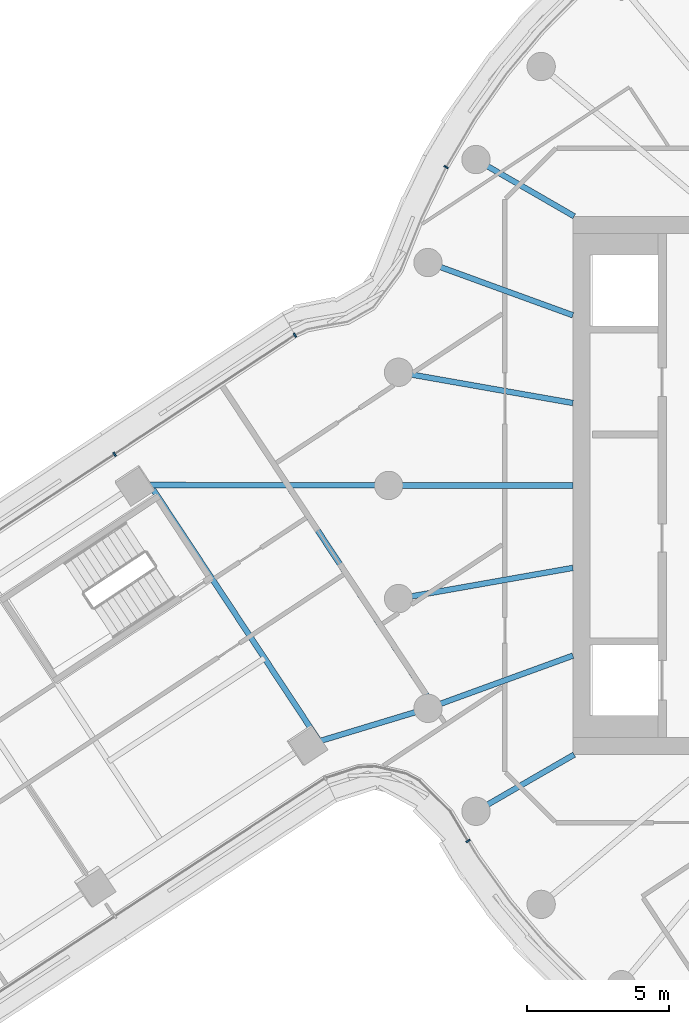
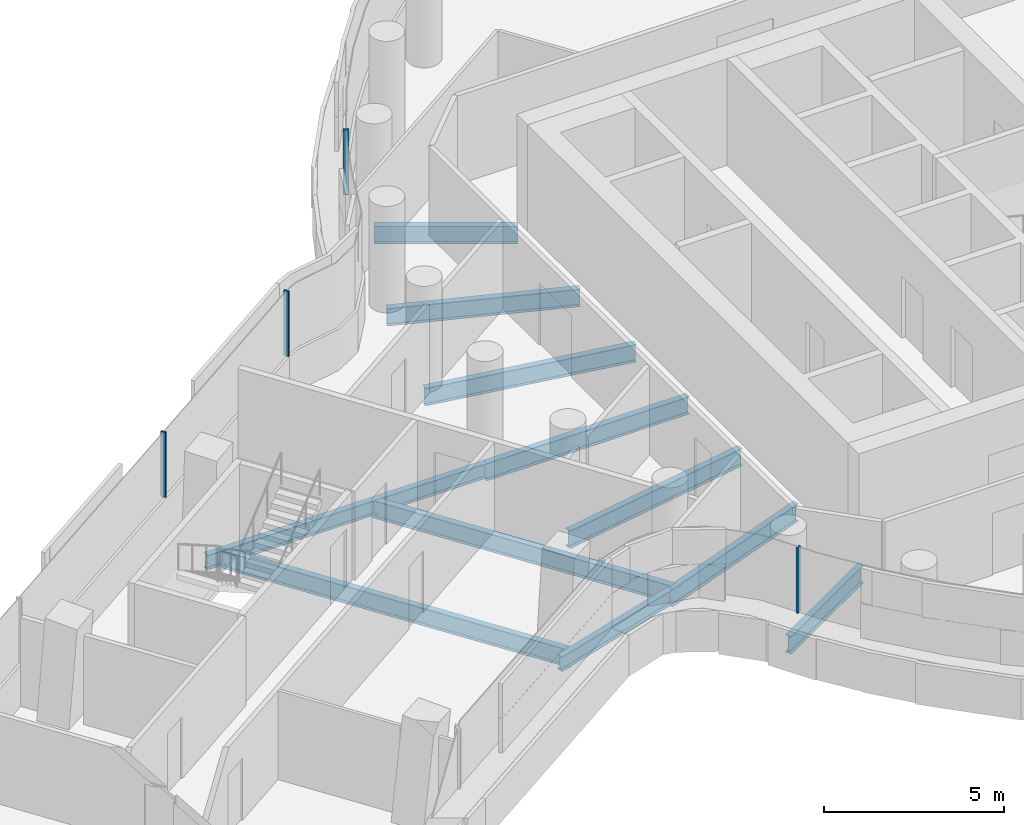
# One storey, part 9 of 35: 11 beams, 4 members, 3 elements without a shape of their own.
"""IFC4 building model written with IfcOpenShell, lengths in metres."""

import ifcopenshell
import ifcopenshell.guid

model = None  # the IFC model being written
_history = None  # IfcOwnerHistory: only IFC2X3 demands one
_inside = {}  # id of a spatial element -> (the spatial element, [elements in it])
_under = {}  # id of a project, library or spatial element -> (it, [spatial elements below it])
_declared = {}  # id of a project -> (the project, [libraries it declares])
_typed = {}  # id of a type object -> (the type object, [elements of that type])
_made_of = {}  # id of a material, layer set ... -> (it, [elements and type objects made of it])


def new_model(schema):
    """Start an empty IFC model of exactly this schema.

    Asked for "IFC4X3", IfcOpenShell would pick the latest addendum, in which some entities
    have other attributes; the version numbers below select the first issue.
    IFC2X3 requires an IfcOwnerHistory on every rooted entity: one is made here for all.
    """
    global model, _history
    if schema == "IFC4X3":
        model = ifcopenshell.file(schema_version=(4, 3, 0, 0))
    else:
        model = ifcopenshell.file(schema=schema)
    _inside.clear()
    _under.clear()
    _declared.clear()
    _typed.clear()
    _made_of.clear()
    _history = None
    if model.schema == "IFC2X3":
        org = make("IfcOrganization", Name="unknown")
        user = make(
            "IfcPersonAndOrganization",
            ThePerson=make("IfcPerson", FamilyName="unknown"),
            TheOrganization=org,
        )
        app = make(
            "IfcApplication",
            ApplicationDeveloper=org,
            Version="unknown",
            ApplicationFullName="unknown",
            ApplicationIdentifier="unknown",
        )
        _history = make(
            "IfcOwnerHistory",
            OwningUser=user,
            OwningApplication=app,
            ChangeAction="ADDED",
            CreationDate=0,
        )
    return model


def make(cls, **values):
    """One entity of the class cls with the attributes given. An attribute that is None is left unset."""
    return model.create_entity(
        cls, **{name: value for name, value in values.items() if value is not None}
    )


def rooted(cls, **values):
    """An entity with a GlobalId (a new one), such as an element, a storey or a relation."""
    return make(cls, GlobalId=ifcopenshell.guid.new(), OwnerHistory=_history, **values)


def si_unit(unit_type, name, prefix=None):
    """IfcSIUnit, for example si_unit("LENGTHUNIT", "METRE", prefix="MILLI")."""
    return make("IfcSIUnit", UnitType=unit_type, Prefix=prefix, Name=name)


def assignment(units):
    """IfcUnitAssignment: the units of a project."""
    return None if units is None else make("IfcUnitAssignment", Units=units)


def point(xyz):
    """IfcCartesianPoint."""
    return None if xyz is None else make("IfcCartesianPoint", Coordinates=xyz)


def direction(xyz):
    """IfcDirection."""
    return None if xyz is None else make("IfcDirection", DirectionRatios=xyz)


def frame(location, z_axis=None, x_axis=None):
    """IfcAxis2Placement3D, a coordinate frame: its origin and axes. An axis left out is left unset."""
    return make(
        "IfcAxis2Placement3D",
        Location=point(location),
        Axis=direction(z_axis),
        RefDirection=direction(x_axis),
    )


def frame_2d(location, x_axis=None):
    """IfcAxis2Placement2D, a coordinate frame in the plane: its origin and x axis."""
    return make(
        "IfcAxis2Placement2D", Location=point(location), RefDirection=direction(x_axis)
    )


def origin():
    """The frame at (0, 0, 0) with its axes left unset."""
    return frame((0.0, 0.0, 0.0))


def origin_2d():
    """The frame at (0, 0) in the plane with its x axis left unset."""
    return frame_2d((0.0, 0.0))


def place(relative_to, where):
    """IfcLocalPlacement: puts the frame where relative to a parent placement (None: the world)."""
    return make(
        "IfcLocalPlacement", PlacementRelTo=relative_to, RelativePlacement=where
    )


def context(
    kind, dimensions, precision=None, world=None, true_north=None, identifier=None
):
    """IfcGeometricRepresentationContext, for example the 3D "Model" context."""
    return make(
        "IfcGeometricRepresentationContext",
        ContextIdentifier=identifier,
        ContextType=kind,
        CoordinateSpaceDimension=dimensions,
        Precision=precision,
        WorldCoordinateSystem=world,
        TrueNorth=true_north,
    )


def subcontext(parent, identifier, kind, view, scale=None):
    """IfcGeometricRepresentationSubContext, for example "Body" below "Model"."""
    return make(
        "IfcGeometricRepresentationSubContext",
        ContextIdentifier=identifier,
        ContextType=kind,
        ParentContext=parent,
        TargetScale=scale,
        TargetView=view,
    )


def project(units=None, contexts=None):
    """IfcProject with its units and contexts."""
    return rooted(
        "IfcProject",
        Name="project",
        RepresentationContexts=contexts,
        UnitsInContext=assignment(units),
    )


def spatial(cls, under=None, at=None, **own):
    """A site, building, storey or space (cls), placed at a placement, below another one or the project."""
    s = rooted(cls, ObjectPlacement=at, **own)
    if under is not None:
        _under.setdefault(under.id(), (under, []))[1].append(s)
    return s


def profile(cls, at=None, kind="AREA", **sizes):
    """A parametric profile (cls). Its sizes go by their IFC names, for example OverallWidth=200.0."""
    return make(cls, ProfileType=kind, Position=at, **sizes)


def rectangle(**sizes):
    """IfcRectangleProfileDef."""
    return profile("IfcRectangleProfileDef", **sizes)


def i_section(**sizes):
    """IfcIShapeProfileDef."""
    return profile("IfcIShapeProfileDef", **sizes)


def extrude(swept, where, along, depth):
    """IfcExtrudedAreaSolid: the profile swept, set in the frame where, extruded along a direction by depth."""
    return make(
        "IfcExtrudedAreaSolid",
        SweptArea=swept,
        Position=where,
        ExtrudedDirection=direction(along),
        Depth=depth,
    )


def shape(context_of_items, identifier, shape_type, items):
    """IfcShapeRepresentation: the items that make up one representation, for example the "Body"."""
    return make(
        "IfcShapeRepresentation",
        ContextOfItems=context_of_items,
        RepresentationIdentifier=identifier,
        RepresentationType=shape_type,
        Items=items,
    )


def material(Name=None, Category=None):
    """IfcMaterial."""
    return make("IfcMaterial", Name=Name, Category=Category)


def layer(
    of_material, thickness, ventilated=None, Name=None, Category=None, Priority=None
):
    """IfcMaterialLayer: one layer of a wall or slab, of a material (None: an air gap)."""
    return make(
        "IfcMaterialLayer",
        Material=of_material,
        LayerThickness=thickness,
        IsVentilated=ventilated,
        Name=Name,
        Category=Category,
        Priority=Priority,
    )


def layer_set(layers, Name=None):
    """IfcMaterialLayerSet."""
    return make("IfcMaterialLayerSet", MaterialLayers=layers, LayerSetName=Name)


def material_profile(
    of_material, cross_section, Name=None, Category=None, Priority=None
):
    """IfcMaterialProfile: a cross section and its material."""
    return make(
        "IfcMaterialProfile",
        Name=Name,
        Material=of_material,
        Profile=cross_section,
        Priority=Priority,
        Category=Category,
    )


def profile_set(profiles, Name=None, composite=None):
    """IfcMaterialProfileSet."""
    return make(
        "IfcMaterialProfileSet",
        Name=Name,
        MaterialProfiles=profiles,
        CompositeProfile=composite,
    )


def made_of(thing, what):
    """Note that an element or type object is made of a material, layer set ...; save() writes the relation."""
    if what is not None:
        _made_of.setdefault(what.id(), (what, []))[1].append(thing)
    return thing


def type_object(cls, material=None, **own):
    """A type object (cls), such as IfcWallType, which elements share."""
    return made_of(rooted(cls, **own), material)


def element(
    cls,
    number,
    at=None,
    inside=None,
    cuts=None,
    type_object=None,
    material=None,
    context=None,
    identifier="Body",
    shape_type=None,
    held_by="IfcProductDefinitionShape",
    body=None,
    shapes=None,
    **own,
):
    """One element of the class cls, such as IfcWall. Its Tag is "e" and its number.

    at: its placement. inside: the storey or other place that contains it. cuts: it is an
    opening in that element (IfcRelVoidsElement). A single representation is given by context,
    identifier, shape_type and body (its items); several are given by shapes. held_by: the class
    of the entity that holds the representations. save() writes the other relations.
    """
    e = rooted(cls, Tag="e%d" % number, ObjectPlacement=at, **own)
    if body is not None:
        shapes = [shape(context, identifier, shape_type, body)]
    if shapes is not None:
        e.Representation = make(held_by, Representations=shapes)
    if inside is not None:
        _inside.setdefault(inside.id(), (inside, []))[1].append(e)
    if cuts is not None:
        rooted(
            "IfcRelVoidsElement", RelatingBuildingElement=cuts, RelatedOpeningElement=e
        )
    if type_object is not None:
        _typed.setdefault(type_object.id(), (type_object, []))[1].append(e)
    return made_of(e, material)


def aggregate(whole, parts):
    """IfcRelAggregates: a whole, such as a stair, and the parts it consists of."""
    return rooted("IfcRelAggregates", RelatingObject=whole, RelatedObjects=parts)


def save(model, path):
    """Write the relations noted so far, then the file.

    IfcRelAggregates (storeys below a building ...), IfcRelContainedInSpatialStructure (elements
    in a storey), IfcRelDefinesByType, IfcRelAssociatesMaterial and IfcRelDeclares: one each for
    every whole, place, type object, material and project.
    """
    for whole, parts in _under.values():
        aggregate(whole, parts)
    for where, things in _inside.values():
        rooted(
            "IfcRelContainedInSpatialStructure",
            RelatedElements=things,
            RelatingStructure=where,
        )
    for kind, things in _typed.values():
        rooted("IfcRelDefinesByType", RelatedObjects=things, RelatingType=kind)
    for what, things in _made_of.values():
        rooted("IfcRelAssociatesMaterial", RelatedObjects=things, RelatingMaterial=what)
    for by, libraries in _declared.values():
        rooted("IfcRelDeclares", RelatingContext=by, RelatedDefinitions=libraries)
    model.write(path)


model = new_model("IFC4")

# Units and contexts
model_context = context("Model", 3, precision=1e-05, world=origin(), true_north=direction((0.0, 1.0)))
body_context = subcontext(model_context, "Body", "Model", "MODEL_VIEW")
ifc_project = project(units=[si_unit("LENGTHUNIT", "METRE"), si_unit("AREAUNIT", "SQUARE_METRE"), si_unit("VOLUMEUNIT", "CUBIC_METRE"), si_unit("PLANEANGLEUNIT", "RADIAN"), si_unit("MASSUNIT", "GRAM", prefix="KILO")], contexts=[model_context])

# Site, building, storey
site_placement = place(None, origin())
site = spatial("IfcSite", under=ifc_project, at=site_placement, CompositionType="ELEMENT")
building_placement = place(site_placement, origin())
building = spatial("IfcBuilding", under=site, at=building_placement, Name="Tamarind Cross Interchange Tower", CompositionType="ELEMENT")
storey_placement = place(building_placement, frame((0.0, 0.0, 155.5)))
storey = spatial("IfcBuildingStorey", under=building, at=storey_placement, Name="L38", CompositionType="ELEMENT", Elevation=155.5)

# Beams
ifc_material_1 = material(Name="Steel Q355B", Category="steel")
ifc_material_profile_1 = material_profile(ifc_material_1, i_section(OverallWidth=0.198974609375, OverallDepth=0.49609375, WebThickness=0.009033203125, FlangeThickness=0.013916015625, FilletRadius=0.012939453125, at=origin_2d()), Name="HN 496x199x9x14")
ifc_profile_set_1 = profile_set([ifc_material_profile_1], Name="Steel Q355B")
beam_type_1 = type_object("IfcBeamType", Name="Composite beam HN 496x199x9x14 Q355B", PredefinedType="BEAM", material=ifc_profile_set_1)
beam_1_placement = place(storey_placement, frame((-31.956787109375, 0.016845703125, -0.387939453125), z_axis=(0.999998231347, -0.00188077188, 0.0), x_axis=(0.00188077188, 0.999998231347, 0.0)))
element("IfcBeam", 1, at=beam_1_placement, inside=storey, type_object=beam_type_1, Name="Beam W-linkem", PredefinedType="BEAM", context=body_context, shape_type="SweptSolid", body=[
    extrude(i_section(OverallWidth=0.198974609375, OverallDepth=0.49609375, WebThickness=0.009033203125, FlangeThickness=0.013916015625, FilletRadius=0.012939453125, at=origin_2d()), origin(), (0.0, 0.0, 1.0), 8.956787109375),
])
beam_2_placement = place(storey_placement, frame((-25.896240234375, -9.162841796875, -0.387939453125), z_axis=(0.957120706894, 0.28968940684, 0.0), x_axis=(-0.28968940684, 0.957120706894, 0.0)))
element("IfcBeam", 2, at=beam_2_placement, inside=storey, type_object=beam_type_1, Name="Beam W-linkep", PredefinedType="BEAM", context=body_context, shape_type="SweptSolid", body=[
    extrude(i_section(OverallWidth=0.198974609375, OverallDepth=0.49609375, WebThickness=0.009033203125, FlangeThickness=0.013916015625, FilletRadius=0.012939453125, at=origin_2d()), origin(), (0.0, 0.0, 1.0), 4.47509765625),
])
ifc_material_profile_2 = material_profile(ifc_material_1, i_section(OverallWidth=0.198974609375, OverallDepth=0.595947265625, WebThickness=0.010009765625, FlangeThickness=0.014892578125, FilletRadius=0.012939453125, at=origin_2d()), Name="HN 596x199x10x15")
ifc_profile_set_2 = profile_set([ifc_material_profile_2], Name="Steel Q355B")
beam_type_2 = type_object("IfcBeamType", Name="Composite beam HN 596x199x10x15 Q355B", PredefinedType="BEAM", material=ifc_profile_set_2)
beam_3_placement = place(storey_placement, frame((-19.918701171875, 11.5, -0.43798828125), z_axis=(0.866026010844, -0.49999894854, 0.0), x_axis=(0.49999894854, 0.866026010844, 0.0)))
element("IfcBeam", 3, at=beam_3_placement, inside=storey, type_object=beam_type_2, Name="Beam HH15", PredefinedType="BEAM", context=body_context, shape_type="SweptSolid", body=[
    extrude(i_section(OverallWidth=0.198974609375, OverallDepth=0.595947265625, WebThickness=0.010009765625, FlangeThickness=0.014892578125, FilletRadius=0.012939453125, at=origin_2d()), origin(), (0.0, 0.0, 1.0), 4.0),
])
beam_4_placement = place(storey_placement, frame((-21.613037109375, 7.866455078125, -0.43798828125), z_axis=(0.939701685589, -0.341995236956, 0.0), x_axis=(0.341995236956, 0.939701685589, 0.0)))
element("IfcBeam", 4, at=beam_4_placement, inside=storey, type_object=beam_type_2, Name="Beam HH16", PredefinedType="BEAM", context=body_context, shape_type="SweptSolid", body=[
    extrude(i_section(OverallWidth=0.198974609375, OverallDepth=0.595947265625, WebThickness=0.010009765625, FlangeThickness=0.014892578125, FilletRadius=0.012939453125, at=origin_2d()), origin(), (0.0, 0.0, 1.0), 5.441162109375),
])
beam_5_placement = place(storey_placement, frame((-22.650634765625, 3.993896484375, -0.43798828125), z_axis=(0.984809127561, -0.173640382036, 0.0), x_axis=(0.173640382036, 0.984809127561, 0.0)))
element("IfcBeam", 5, at=beam_5_placement, inside=storey, type_object=beam_type_2, Name="Beam HH17", PredefinedType="BEAM", context=body_context, shape_type="SweptSolid", body=[
    extrude(i_section(OverallWidth=0.198974609375, OverallDepth=0.595947265625, WebThickness=0.010009765625, FlangeThickness=0.014892578125, FilletRadius=0.012939453125, at=origin_2d()), origin(), (0.0, 0.0, 1.0), 6.24560546875),
])
beam_6_placement = place(storey_placement, frame((-23.0, 0.0, -0.43798828125), z_axis=(1.0, 0.0, 0.0), x_axis=(0.0, 1.0, 0.0)))
element("IfcBeam", 6, at=beam_6_placement, inside=storey, type_object=beam_type_2, Name="Beam HH18", PredefinedType="BEAM", context=body_context, shape_type="SweptSolid", body=[
    extrude(i_section(OverallWidth=0.198974609375, OverallDepth=0.595947265625, WebThickness=0.010009765625, FlangeThickness=0.014892578125, FilletRadius=0.012939453125, at=origin_2d()), origin(), (0.0, 0.0, 1.0), 6.5),
])
beam_7_placement = place(storey_placement, frame((-22.650634765625, -3.993896484375, -0.43798828125), z_axis=(0.984809127561, 0.173640382036, 0.0), x_axis=(-0.173640382036, 0.984809127561, 0.0)))
element("IfcBeam", 7, at=beam_7_placement, inside=storey, type_object=beam_type_2, Name="Beam HH19", PredefinedType="BEAM", context=body_context, shape_type="SweptSolid", body=[
    extrude(i_section(OverallWidth=0.198974609375, OverallDepth=0.595947265625, WebThickness=0.010009765625, FlangeThickness=0.014892578125, FilletRadius=0.012939453125, at=origin_2d()), origin(), (0.0, 0.0, 1.0), 6.24560546875),
])
beam_8_placement = place(storey_placement, frame((-21.613037109375, -7.866455078125, -0.43798828125), z_axis=(0.939701685589, 0.341995236956, 0.0), x_axis=(-0.341995236956, 0.939701685589, 0.0)))
element("IfcBeam", 8, at=beam_8_placement, inside=storey, type_object=beam_type_2, Name="Beam HH20", PredefinedType="BEAM", context=body_context, shape_type="SweptSolid", body=[
    extrude(i_section(OverallWidth=0.198974609375, OverallDepth=0.595947265625, WebThickness=0.010009765625, FlangeThickness=0.014892578125, FilletRadius=0.012939453125, at=origin_2d()), origin(), (0.0, 0.0, 1.0), 5.441162109375),
])
beam_9_placement = place(storey_placement, frame((-19.918701171875, -11.5, -0.43798828125), z_axis=(0.866026010844, 0.49999894854, 0.0), x_axis=(-0.49999894854, 0.866026010844, 0.0)))
element("IfcBeam", 9, at=beam_9_placement, inside=storey, type_object=beam_type_2, Name="Beam HH21", PredefinedType="BEAM", context=body_context, shape_type="SweptSolid", body=[
    extrude(i_section(OverallWidth=0.198974609375, OverallDepth=0.595947265625, WebThickness=0.010009765625, FlangeThickness=0.014892578125, FilletRadius=0.012939453125, at=origin_2d()), origin(), (0.0, 0.0, 1.0), 4.0),
])
ifc_material_profile_3 = material_profile(ifc_material_1, i_section(OverallWidth=0.199951171875, OverallDepth=0.60009765625, WebThickness=0.010986328125, FlangeThickness=0.01708984375, FilletRadius=0.012939453125, at=origin_2d()), Name="HN 600x200x11x17")
ifc_profile_set_3 = profile_set([ifc_material_profile_3], Name="Steel Q355B")
beam_type_3 = type_object("IfcBeamType", Name="Composite beam HN 600x200x11x17 Q355B", PredefinedType="BEAM", material=ifc_profile_set_3)
beam_10_placement = place(storey_placement, frame((-31.4169921875, 0.015869140625, -0.43994140625), z_axis=(0.550971837826, -0.834523836641, 0.0), x_axis=(0.834523836641, 0.550971837826, 0.0)))
element("IfcBeam", 10, at=beam_10_placement, inside=storey, type_object=beam_type_3, Name="Beam W-x298", PredefinedType="BEAM", context=body_context, shape_type="SweptSolid", body=[
    extrude(i_section(OverallWidth=0.199951171875, OverallDepth=0.60009765625, WebThickness=0.010986328125, FlangeThickness=0.01708984375, FilletRadius=0.012939453125, at=origin_2d()), origin(), (0.0, 0.0, 1.0), 10.835693359375),
])
beam_11_placement = place(storey_placement, frame((-26.557861328125, 0.006591796875, -0.43994140625), z_axis=(0.550972840412, -0.83452317471, 0.0), x_axis=(0.83452317471, 0.550972840412, 0.0)))
element("IfcBeam", 11, at=beam_11_placement, inside=storey, type_object=beam_type_3, Name="Beam W-x258", PredefinedType="BEAM", context=body_context, shape_type="SweptSolid", body=[
    extrude(i_section(OverallWidth=0.199951171875, OverallDepth=0.60009765625, WebThickness=0.010986328125, FlangeThickness=0.01708984375, FilletRadius=0.012939453125, at=origin_2d()), origin(), (0.0, 0.0, 1.0), 9.294677734375),
])

# Curtain wall, member
ifc_material_2 = material(Name="Aluminium 6063-T6", Category="aluminium")
ifc_layer = layer(ifc_material_2, 0.159912109375)
ifc_layer_set = layer_set([ifc_layer], Name="Aluminium 6063-T6")
curtain_wall_type = type_object("IfcCurtainWallType", Name="Office curtain wall, 9.0 m bays", PredefinedType="NOTDEFINED", material=ifc_layer_set)
curtain_wall_1_placement = place(storey_placement, origin())
curtain_wall_1 = element("IfcCurtainWall", 12, at=curtain_wall_1_placement, inside=storey, type_object=curtain_wall_type, Name="CWS-L38-02", PredefinedType="NOTDEFINED")
ifc_material_profile_4 = material_profile(ifc_material_2, rectangle(XDim=0.06005859375, YDim=0.159912109375, at=origin_2d()), Name="Mullion CW1")
ifc_profile_set_4 = profile_set([ifc_material_profile_4], Name="Aluminium 6063-T6")
member_type = type_object("IfcMemberType", Name="Mullion CW1", PredefinedType="MULLION", material=ifc_profile_set_4)
member_1_placement = place(storey_placement, frame((-20.9755859375, 11.23681640625, 1.39990234375), z_axis=(0.0, 0.0, 1.0), x_axis=(-0.508183308752, -0.861248933065, 0.0)))
member_1 = element("IfcMember", 13, at=member_1_placement, type_object=member_type, Name="CWM-L38-02-02", PredefinedType="MULLION", context=body_context, shape_type="SweptSolid", body=[
    extrude(rectangle(XDim=0.06005859375, YDim=0.159912109375, at=origin_2d()), origin(), (0.0, 0.0, 1.0), 2.210205078125),
])
aggregate(curtain_wall_1, [member_1])

# Curtain wall, members
curtain_wall_2_placement = place(storey_placement, origin())
curtain_wall_2 = element("IfcCurtainWall", 14, at=curtain_wall_2_placement, inside=storey, type_object=curtain_wall_type, Name="CWS-L38-03", PredefinedType="NOTDEFINED")
member_2_placement = place(storey_placement, frame((-26.306884765625, 5.304931640625, 1.39990234375), z_axis=(0.0, 0.0, 1.0), x_axis=(-0.868773295968, -0.495210016269, 0.0)))
member_2 = element("IfcMember", 15, at=member_2_placement, type_object=member_type, Name="CWM-L38-03-00", PredefinedType="MULLION", context=body_context, shape_type="SweptSolid", body=[
    extrude(rectangle(XDim=0.06005859375, YDim=0.159912109375, at=origin_2d()), origin(), (0.0, 0.0, 1.0), 2.210205078125),
])
member_3_placement = place(storey_placement, frame((-32.674072265625, 1.10107421875, 1.39990234375), z_axis=(0.0, 0.0, 1.0), x_axis=(-0.834524900963, -0.550970225759, 0.0)))
member_3 = element("IfcMember", 16, at=member_3_placement, type_object=member_type, Name="CWM-L38-03-01", PredefinedType="MULLION", context=body_context, shape_type="SweptSolid", body=[
    extrude(rectangle(XDim=0.06005859375, YDim=0.159912109375, at=origin_2d()), origin(), (0.0, 0.0, 1.0), 2.210205078125),
])
aggregate(curtain_wall_2, [member_2, member_3])

# Curtain wall, member
curtain_wall_3_placement = place(storey_placement, origin())
curtain_wall_3 = element("IfcCurtainWall", 17, at=curtain_wall_3_placement, inside=storey, type_object=curtain_wall_type, Name="CWS-L38-06", PredefinedType="NOTDEFINED")
member_4_placement = place(storey_placement, frame((-20.19873046875, -12.546142578125, 1.39990234375), z_axis=(0.0, 0.0, 1.0), x_axis=(0.5158697456, -0.856667033085, 0.0)))
member_4 = element("IfcMember", 18, at=member_4_placement, type_object=member_type, Name="CWM-L38-06-01", PredefinedType="MULLION", context=body_context, shape_type="SweptSolid", body=[
    extrude(rectangle(XDim=0.06005859375, YDim=0.159912109375, at=origin_2d()), origin(), (0.0, 0.0, 1.0), 2.210205078125),
])
aggregate(curtain_wall_3, [member_4])

save(model, "model.ifc")
